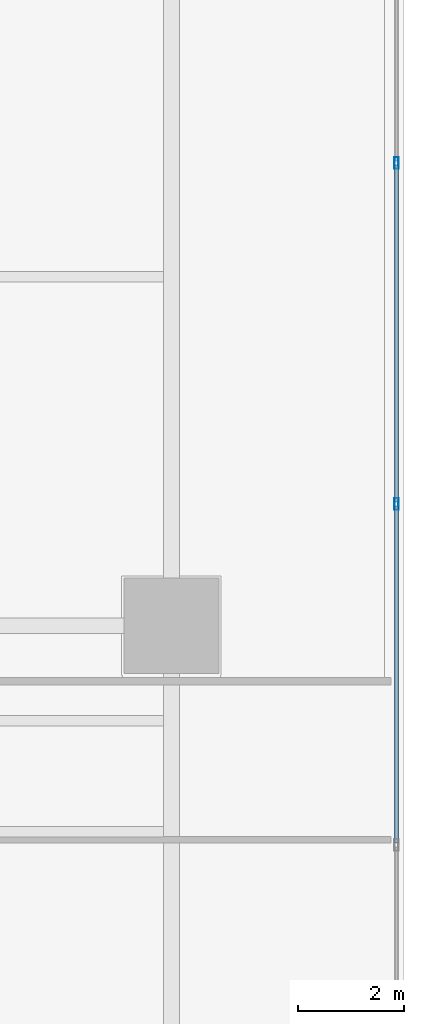
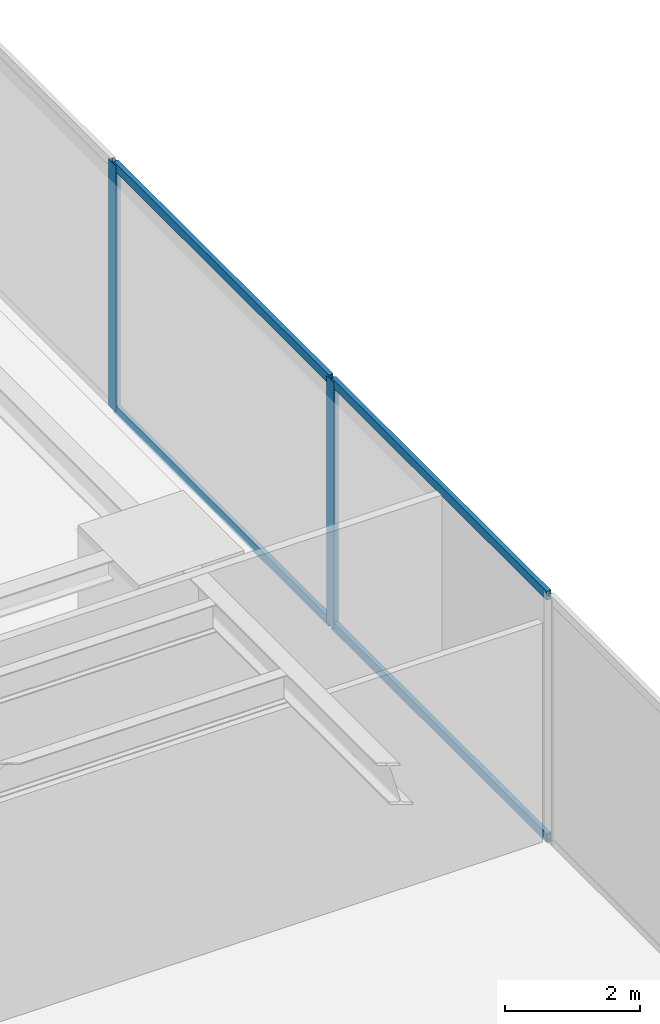
# One storey, part 9 of 17: 6 members, 1 element without a shape of its own.
"""IFC4 building model written with IfcOpenShell, lengths in metres."""

from ifc_helpers import new_model, si_unit, direction, frame, origin, origin_with_axes, origin_2d, place, context, subcontext, project, spatial, hollow_rectangle, extrude, source, transform, mapped, material, layer, layer_set, material_profile, profile_set, type_object, element, aggregate, save


model = new_model("IFC4")

# Units and contexts
model_context = context("Model", 3, precision=1e-05, world=origin(), true_north=direction((0.0, 1.0)))
body_context = subcontext(model_context, "Body", "Model", "MODEL_VIEW")
ifc_project = project(units=[si_unit("LENGTHUNIT", "METRE"), si_unit("AREAUNIT", "SQUARE_METRE"), si_unit("VOLUMEUNIT", "CUBIC_METRE"), si_unit("PLANEANGLEUNIT", "RADIAN"), si_unit("MASSUNIT", "GRAM", prefix="KILO")], contexts=[model_context])

# Site, building, storey
site_placement = place(None, origin())
site = spatial("IfcSite", under=ifc_project, at=site_placement, CompositionType="ELEMENT")
building_placement = place(site_placement, origin())
building = spatial("IfcBuilding", under=site, at=building_placement, Name="Kolvaren Waterfront Exchange", CompositionType="ELEMENT")
storey_placement = place(building_placement, frame((0.0, 0.0, 5.60009765625)))
storey = spatial("IfcBuildingStorey", under=building, at=storey_placement, Name="L02", CompositionType="ELEMENT", Elevation=5.60009765625)

# Curtain wall, members
ifc_material_1 = material(Name="Anodised bronze aluminium 6063-T6", Category="aluminium")
ifc_layer = layer(ifc_material_1, 0.219970703125, Name="Anodised bronze aluminium 6063-T6")
ifc_layer_set = layer_set([ifc_layer], Name="Anodised bronze aluminium 6063-T6")
curtain_wall_type = type_object("IfcCurtainWallType", Name="ARC-CW-SYS4", PredefinedType="USERDEFINED", material=ifc_layer_set)
curtain_wall_placement = place(storey_placement, origin())
curtain_wall = element("IfcCurtainWall", 1, at=curtain_wall_placement, inside=storey, type_object=curtain_wall_type, Name="L02 stick curtain wall CW4 (CW-L02-E1)", ObjectType="STICK CURTAIN WALL", PredefinedType="USERDEFINED")
ifc_material_2 = material(Name="Anodised aluminium 6063-T6", Category="aluminium")
ifc_material_profile_1 = material_profile(ifc_material_2, hollow_rectangle(XDim=0.080078125, YDim=0.219970703125, WallThickness=0.0048828125, at=origin_2d()), Name="ALU-MUL-220x80x5")
ifc_profile_set_1 = profile_set([ifc_material_profile_1], Name="Anodised aluminium 6063-T6")
member_type_1 = type_object("IfcMemberType", Name="ARC-CWM-220", PredefinedType="MULLION", material=ifc_profile_set_1)
shared_shape_1 = source(origin_with_axes(), body_context, "Body", "SweptSolid", [
    extrude(hollow_rectangle(XDim=0.080078125, YDim=0.219970703125, WallThickness=0.0048828125, at=origin_2d()), origin(), (0.0, 0.0, 1.0), 4.4599609375),
])
member_1_placement = place(storey_placement, frame((64.659912109375, 19.705078125, 0.0), z_axis=(0.0, 0.0, 1.0), x_axis=(-1.0, 0.0, 0.0)))
member_1 = element("IfcMember", 2, at=member_1_placement, type_object=member_type_1, Name="CW4 mullion 4", PredefinedType="MULLION", context=body_context, shape_type="MappedRepresentation", body=[
    mapped(shared_shape_1, transform((0.0, 0.0, 0.0), x_axis=(1.0, 0.0, 0.0), y_axis=(0.0, 1.0, 0.0), z_axis=(0.0, 0.0, 1.0), scale=1.0)),
])
member_2_placement = place(storey_placement, frame((64.659912109375, 26.15673828125, 0.0), z_axis=(0.0, 0.0, 1.0), x_axis=(-1.0, 0.0, 0.0)))
member_2 = element("IfcMember", 3, at=member_2_placement, type_object=member_type_1, Name="CW4 mullion 5", PredefinedType="MULLION", context=body_context, shape_type="MappedRepresentation", body=[
    mapped(shared_shape_1, transform((0.0, 0.0, 0.0), x_axis=(1.0, 0.0, 0.0), y_axis=(0.0, 1.0, 0.0), z_axis=(0.0, 0.0, 1.0), scale=1.0)),
])
ifc_material_profile_2 = material_profile(ifc_material_2, hollow_rectangle(XDim=0.074951171875, YDim=0.159912109375, WallThickness=0.00439453125, at=origin_2d()), Name="ALU-TRN-160x75x4.5")
ifc_profile_set_2 = profile_set([ifc_material_profile_2], Name="Anodised aluminium 6063-T6")
member_type_2 = type_object("IfcMemberType", Name="ARC-CWT-160", PredefinedType="USERDEFINED", material=ifc_profile_set_2)
shared_shape_2 = source(origin_with_axes(), body_context, "Body", "SweptSolid", [
    extrude(hollow_rectangle(XDim=0.074951171875, YDim=0.159912109375, WallThickness=0.00439453125, at=origin_2d()), origin(), (0.0, 0.0, 1.0), 6.371826171875),
])
member_3_placement = place(storey_placement, frame((64.659912109375, 13.293212890625, 0.037353515625), z_axis=(0.0, 1.0, 0.0), x_axis=(-1.0, 0.0, 0.0)))
member_3 = element("IfcMember", 4, at=member_3_placement, type_object=member_type_2, Name="CW4 transom 3.1", ObjectType="TRANSOM", PredefinedType="USERDEFINED", context=body_context, shape_type="MappedRepresentation", body=[
    mapped(shared_shape_2, transform((0.0, 0.0, 0.0), x_axis=(1.0, 0.0, 0.0), y_axis=(0.0, 1.0, 0.0), z_axis=(0.0, 0.0, 1.0), scale=1.0)),
])
member_4_placement = place(storey_placement, frame((64.659912109375, 13.293212890625, 4.42236328125), z_axis=(0.0, 1.0, 0.0), x_axis=(-1.0, 0.0, 0.0)))
member_4 = element("IfcMember", 5, at=member_4_placement, type_object=member_type_2, Name="CW4 transom 3.2", ObjectType="TRANSOM", PredefinedType="USERDEFINED", context=body_context, shape_type="MappedRepresentation", body=[
    mapped(shared_shape_2, transform((0.0, 0.0, 0.0), x_axis=(1.0, 0.0, 0.0), y_axis=(0.0, 1.0, 0.0), z_axis=(0.0, 0.0, 1.0), scale=1.0)),
])
shared_shape_3 = source(origin_with_axes(), body_context, "Body", "SweptSolid", [
    extrude(hollow_rectangle(XDim=0.074951171875, YDim=0.159912109375, WallThickness=0.00439453125, at=origin_2d()), origin(), (0.0, 0.0, 1.0), 6.37158203125),
])
member_5_placement = place(storey_placement, frame((64.659912109375, 19.7451171875, 0.037353515625), z_axis=(0.0, 1.0, 0.0), x_axis=(-1.0, 0.0, 0.0)))
member_5 = element("IfcMember", 6, at=member_5_placement, type_object=member_type_2, Name="CW4 transom 4.1", ObjectType="TRANSOM", PredefinedType="USERDEFINED", context=body_context, shape_type="MappedRepresentation", body=[
    mapped(shared_shape_3, transform((0.0, 0.0, 0.0), x_axis=(1.0, 0.0, 0.0), y_axis=(0.0, 1.0, 0.0), z_axis=(0.0, 0.0, 1.0), scale=1.0)),
])
member_6_placement = place(storey_placement, frame((64.659912109375, 19.7451171875, 4.42236328125), z_axis=(0.0, 1.0, 0.0), x_axis=(-1.0, 0.0, 0.0)))
member_6 = element("IfcMember", 7, at=member_6_placement, type_object=member_type_2, Name="CW4 transom 4.2", ObjectType="TRANSOM", PredefinedType="USERDEFINED", context=body_context, shape_type="MappedRepresentation", body=[
    mapped(shared_shape_3, transform((0.0, 0.0, 0.0), x_axis=(1.0, 0.0, 0.0), y_axis=(0.0, 1.0, 0.0), z_axis=(0.0, 0.0, 1.0), scale=1.0)),
])
aggregate(curtain_wall, [member_1, member_2, member_3, member_4, member_5, member_6])

save(model, "model.ifc")
